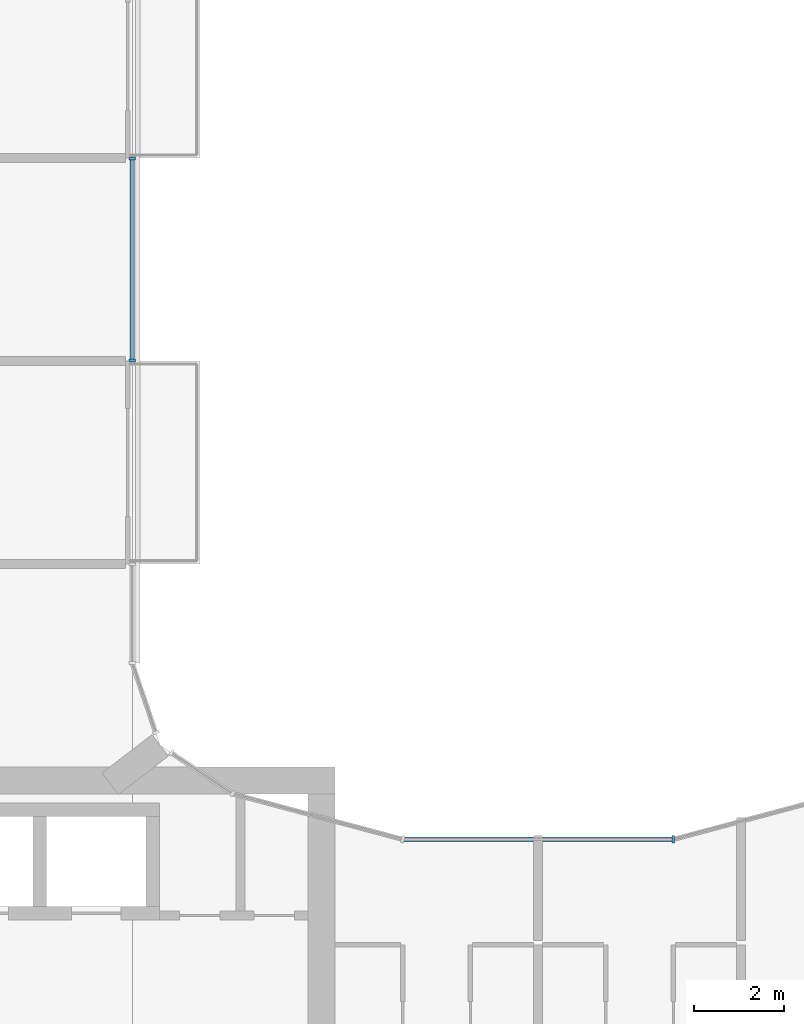
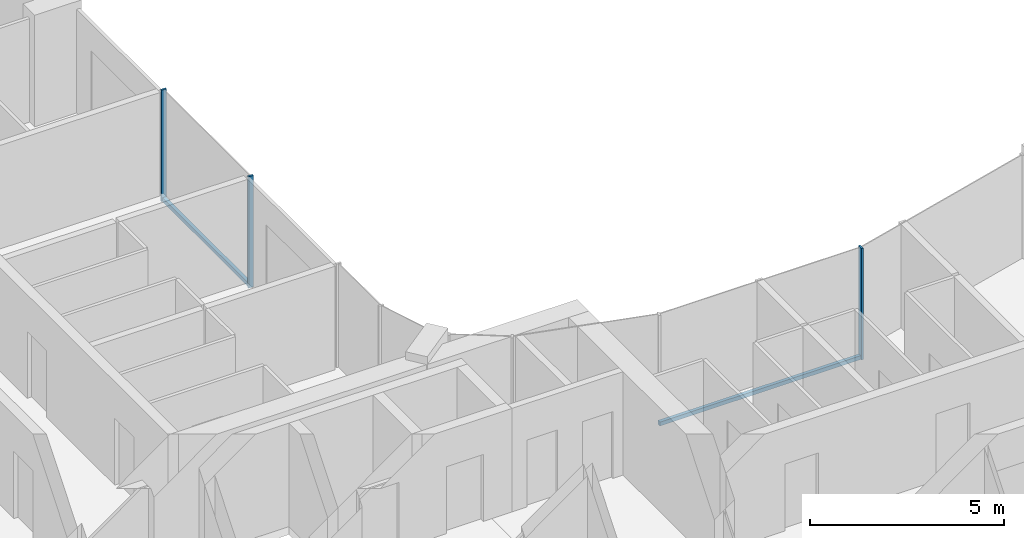
# One storey, part 5 of 16: 5 members, 2 elements without a shape of their own.
"""IFC4 building model written with IfcOpenShell, lengths in metres."""

from ifc_helpers import new_model, si_unit, direction, frame, origin, origin_2d, place, context, subcontext, project, spatial, rectangle, extrude, material, layer, layer_set, material_profile, profile_set, type_object, element, aggregate, save


model = new_model("IFC4")

# Units and contexts
model_context = context("Model", 3, precision=1e-05, world=origin(), true_north=direction((0.0, 1.0)))
body_context = subcontext(model_context, "Body", "Model", "MODEL_VIEW")
ifc_project = project(units=[si_unit("LENGTHUNIT", "METRE"), si_unit("AREAUNIT", "SQUARE_METRE"), si_unit("VOLUMEUNIT", "CUBIC_METRE"), si_unit("PLANEANGLEUNIT", "RADIAN"), si_unit("MASSUNIT", "GRAM", prefix="KILO")], contexts=[model_context])

# Site, building, storey
site_placement = place(None, origin())
site = spatial("IfcSite", under=ifc_project, at=site_placement, CompositionType="ELEMENT")
building_placement = place(site_placement, origin())
building = spatial("IfcBuilding", under=site, at=building_placement, Name="Plateau Cross Towers", CompositionType="ELEMENT")
storey_placement = place(building_placement, frame((0.0, 0.0, 167.39990234375)))
storey = spatial("IfcBuildingStorey", under=building, at=storey_placement, Name="L43", CompositionType="ELEMENT", Elevation=167.39990234375)

# Curtain wall, members
ifc_material_1 = material(Name="Dark low-iron glass", Category="glass")
ifc_layer_1 = layer(ifc_material_1, 0.239990234375)
ifc_layer_set_1 = layer_set([ifc_layer_1], Name="Dark low-iron glass")
curtain_wall_type_1 = type_object("IfcCurtainWallType", Name="Curtain wall flush unitised CW-B", PredefinedType="NOTDEFINED", material=ifc_layer_set_1)
curtain_wall_1_placement = place(storey_placement, origin())
curtain_wall_1 = element("IfcCurtainWall", 1, at=curtain_wall_1_placement, inside=storey, type_object=curtain_wall_type_1, Name="ENV/A/L43/A180_270", PredefinedType="NOTDEFINED")
ifc_material_2 = material(Name="Black anodised aluminium", Category="aluminium")
ifc_material_profile_1 = material_profile(ifc_material_2, rectangle(XDim=0.06005859375, YDim=0.139892578125, at=origin_2d()), Name="MULLION 60x140")
ifc_profile_set_1 = profile_set([ifc_material_profile_1], Name="Black anodised aluminium")
member_type_1 = type_object("IfcMemberType", Name="Mullion 60x140 flush unitised", PredefinedType="MULLION", material=ifc_profile_set_1)
member_1_placement = place(storey_placement, frame((18.0, 27.010009765625, -0.25), z_axis=(0.0, 0.0, 1.0), x_axis=(0.0, 1.0, 0.0)))
member_1 = element("IfcMember", 2, at=member_1_placement, type_object=member_type_1, Name="CW-B mullion 1", PredefinedType="MULLION", context=body_context, shape_type="SweptSolid", body=[
    extrude(rectangle(XDim=0.06005859375, YDim=0.139892578125, at=origin_2d()), origin(), (0.0, 0.0, 1.0), 3.5),
])
member_2_placement = place(storey_placement, frame((18.0, 31.489990234375, -0.25), z_axis=(0.0, 0.0, 1.0), x_axis=(0.0, 1.0, 0.0)))
member_2 = element("IfcMember", 3, at=member_2_placement, type_object=member_type_1, Name="CW-B mullion 2", PredefinedType="MULLION", context=body_context, shape_type="SweptSolid", body=[
    extrude(rectangle(XDim=0.06005859375, YDim=0.139892578125, at=origin_2d()), origin(), (0.0, 0.0, 1.0), 3.5),
])

# Curtain wall, member
ifc_layer_2 = layer(ifc_material_1, 0.260009765625)
ifc_layer_set_2 = layer_set([ifc_layer_2], Name="Dark low-iron glass")
curtain_wall_type_2 = type_object("IfcCurtainWallType", Name="Curtain wall fluted unitised CW-A", PredefinedType="NOTDEFINED", material=ifc_layer_set_2)
curtain_wall_2_placement = place(storey_placement, origin())
curtain_wall_2 = element("IfcCurtainWall", 4, at=curtain_wall_2_placement, inside=storey, type_object=curtain_wall_type_2, Name="ENV/A/L43/A300_164", PredefinedType="NOTDEFINED")
ifc_material_profile_2 = material_profile(ifc_material_2, rectangle(XDim=0.06005859375, YDim=0.159912109375, at=origin_2d()), Name="MULLION 60x160")
ifc_profile_set_2 = profile_set([ifc_material_profile_2], Name="Black anodised aluminium")
member_type_2 = type_object("IfcMemberType", Name="Mullion 60x160 fluted unitised", PredefinedType="MULLION", material=ifc_profile_set_2)
member_3_placement = place(storey_placement, frame((30.0, 16.39306640625, -0.25), z_axis=(0.0, 0.0, 1.0), x_axis=(-1.0, 0.0, 0.0)))
member_3 = element("IfcMember", 5, at=member_3_placement, type_object=member_type_2, Name="CW-A mullion 1", PredefinedType="MULLION", context=body_context, shape_type="SweptSolid", body=[
    extrude(rectangle(XDim=0.06005859375, YDim=0.159912109375, at=origin_2d()), origin(), (0.0, 0.0, 1.0), 3.5),
])

# Member
ifc_material_profile_3 = material_profile(ifc_material_2, rectangle(XDim=0.10009765625, YDim=0.1201171875, at=origin_2d()), Name="TRANSOM 100x120")
ifc_profile_set_3 = profile_set([ifc_material_profile_3], Name="Black anodised aluminium")
member_type_3 = type_object("IfcMemberType", Name="Transom 100x120 flush unitised", PredefinedType="USERDEFINED", material=ifc_profile_set_3)
member_4_placement = place(storey_placement, frame((18.0, 27.010009765625, -0.18994140625), z_axis=(0.0, 1.0, 0.0), x_axis=(-1.0, 0.0, 0.0)))
member_4 = element("IfcMember", 6, at=member_4_placement, type_object=member_type_3, Name="CW-B transom", ObjectType="TRANSOM", PredefinedType="USERDEFINED", context=body_context, shape_type="SweptSolid", body=[
    extrude(rectangle(XDim=0.10009765625, YDim=0.1201171875, at=origin_2d()), origin(), (0.0, 0.0, 1.0), 4.47998046875),
])

aggregate(curtain_wall_1, [member_1, member_2, member_4])

ifc_material_profile_4 = material_profile(ifc_material_2, rectangle(XDim=0.10009765625, YDim=0.1201171875, at=origin_2d()), Name="TRANSOM 100x120")
ifc_profile_set_4 = profile_set([ifc_material_profile_4], Name="Black anodised aluminium")
member_type_4 = type_object("IfcMemberType", Name="Transom 100x120 fluted unitised", PredefinedType="USERDEFINED", material=ifc_profile_set_4)
member_5_placement = place(storey_placement, frame((30.0, 16.39306640625, -0.18994140625), z_axis=(-1.0, 0.0, 0.0), x_axis=(0.0, -1.0, 0.0)))
member_5 = element("IfcMember", 7, at=member_5_placement, type_object=member_type_4, Name="CW-A transom", ObjectType="TRANSOM", PredefinedType="USERDEFINED", context=body_context, shape_type="SweptSolid", body=[
    extrude(rectangle(XDim=0.10009765625, YDim=0.1201171875, at=origin_2d()), origin(), (0.0, 0.0, 1.0), 6.0),
])

aggregate(curtain_wall_2, [member_3, member_5])

save(model, "model.ifc")
